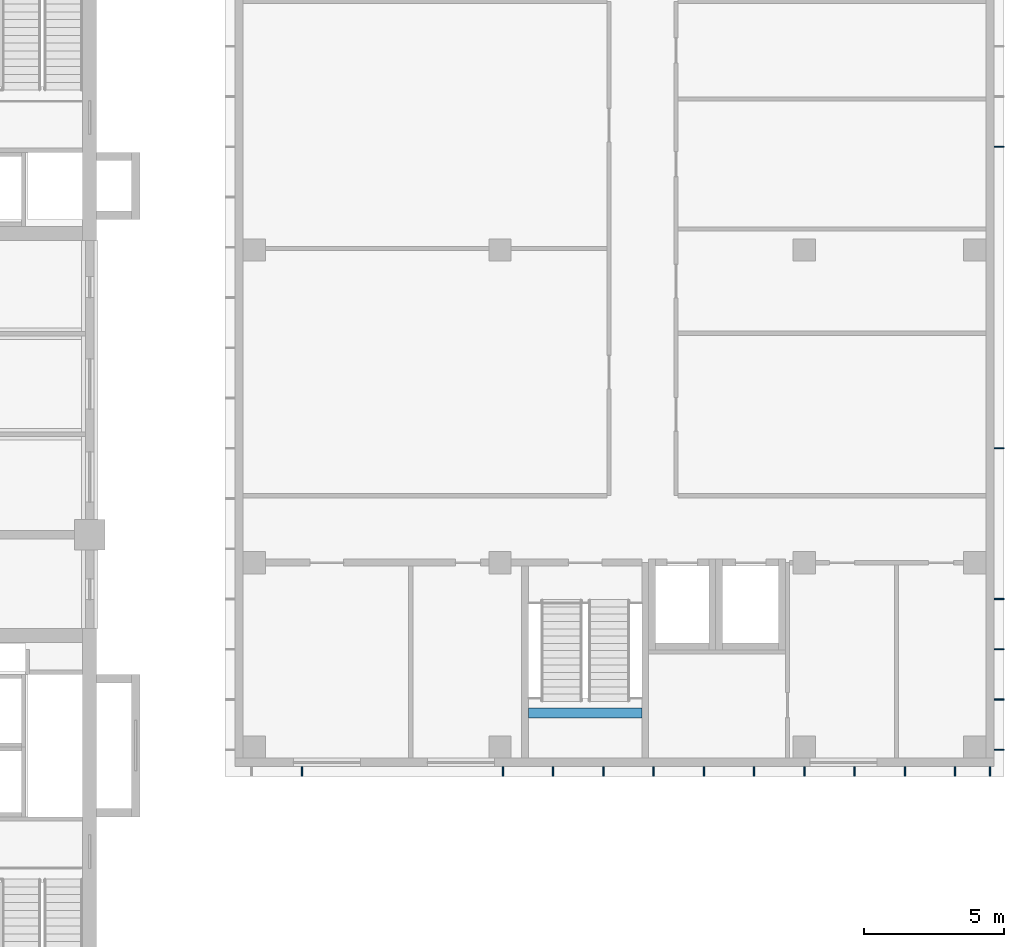
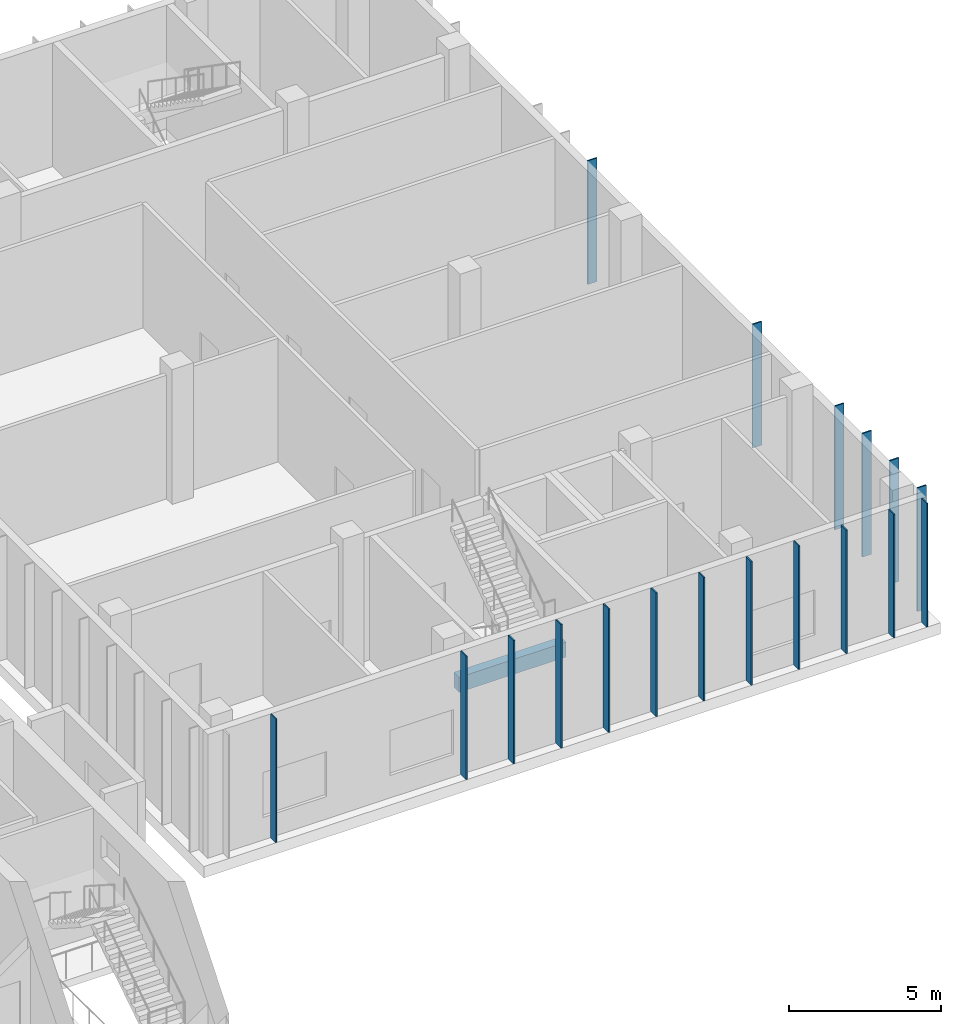
# One storey, part 9 of 32: 18 members, 1 beam.
"""IFC4 building model written with IfcOpenShell, lengths in metres."""

from ifc_helpers import new_model, si_unit, direction, frame, origin, origin_2d, place, context, subcontext, project, spatial, rectangle, extrude, material, material_profile, profile_set, type_object, element, save


model = new_model("IFC4")

# Units and contexts
model_context = context("Model", 3, precision=1e-05, world=origin(), true_north=direction((0.0, 1.0)))
body_context = subcontext(model_context, "Body", "Model", "MODEL_VIEW")
ifc_project = project(units=[si_unit("LENGTHUNIT", "METRE"), si_unit("AREAUNIT", "SQUARE_METRE"), si_unit("VOLUMEUNIT", "CUBIC_METRE"), si_unit("PLANEANGLEUNIT", "RADIAN"), si_unit("MASSUNIT", "GRAM", prefix="KILO")], contexts=[model_context])

# Site, building, storey
site_placement = place(None, origin())
site = spatial("IfcSite", under=ifc_project, at=site_placement, CompositionType="ELEMENT")
building_placement = place(site_placement, origin())
building = spatial("IfcBuilding", under=site, at=building_placement, Name="Basin Gate Institute", CompositionType="ELEMENT")
storey_placement = place(building_placement, frame((0.0, 0.0, 11.39990234375)))
storey = spatial("IfcBuildingStorey", under=building, at=storey_placement, Name="L02", CompositionType="ELEMENT", Elevation=11.39990234375)

# Beam
ifc_material_1 = material(Name="Concrete 40 MPa", Category="concrete")
ifc_material_profile_1 = material_profile(ifc_material_1, rectangle(XDim=0.35009765625, YDim=0.60009765625, at=origin_2d()), Name="Beam B4 350 x 600")
ifc_profile_set_1 = profile_set([ifc_material_profile_1], Name="Concrete 40 MPa")
beam_type = type_object("IfcBeamType", Name="Beam B4 R180", PredefinedType="BEAM", material=ifc_profile_set_1)
beam_placement = place(storey_placement, frame((134.52490234375, 71.916259765625, 2.2001953125), z_axis=(1.0, 0.0, 0.0), x_axis=(0.0, 1.0, 0.0)))
element("IfcBeam", 1, at=beam_placement, inside=storey, type_object=beam_type, material=ifc_profile_set_1, Name="Stair landing beam ST-C3 L02", PredefinedType="BEAM", context=body_context, shape_type="SweptSolid", body=[
    extrude(rectangle(XDim=0.35009765625, YDim=0.60009765625, at=origin_2d()), origin(), (0.0, 0.0, 1.0), 4.050048828125),
])

# Members
ifc_material_2 = material(Name="Anodised aluminium", Category="aluminium")
ifc_material_profile_2 = material_profile(ifc_material_2, rectangle(XDim=0.050048828125, YDim=0.35009765625, at=origin_2d()), Name="Louvre fin CF1 50 x 350")
ifc_profile_set_2 = profile_set([ifc_material_profile_2], Name="Anodised aluminium")
member_type = type_object("IfcMemberType", Name="Louvre fin CF1", PredefinedType="PLATE", material=ifc_profile_set_2)
for number, where, z_axis, x_axis, name in (
    (2, (126.39990234375, 69.824951171875, 0.0), (0.0, 0.0, 1.0), (1.0, 0.0, 0.0), "Louvre fin CF1 S2 L02"),
    (3, (133.60009765625, 69.824951171875, 0.0), (0.0, 0.0, 1.0), (1.0, 0.0, 0.0), "Louvre fin CF1 S6 L02"),
    (4, (135.39990234375, 69.824951171875, 0.0), (0.0, 0.0, 1.0), (1.0, 0.0, 0.0), "Louvre fin CF1 S7 L02"),
    (5, (137.199951171875, 69.824951171875, 0.0), (0.0, 0.0, 1.0), (1.0, 0.0, 0.0), "Louvre fin CF1 S8 L02"),
    (6, (139.0, 69.824951171875, 0.0), (0.0, 0.0, 1.0), (1.0, 0.0, 0.0), "Louvre fin CF1 S9 L02"),
    (7, (140.800048828125, 69.824951171875, 0.0), (0.0, 0.0, 1.0), (1.0, 0.0, 0.0), "Louvre fin CF1 S10 L02"),
    (8, (142.60009765625, 69.824951171875, 0.0), (0.0, 0.0, 1.0), (1.0, 0.0, 0.0), "Louvre fin CF1 S11 L02"),
    (9, (144.39990234375, 69.824951171875, 0.0), (0.0, 0.0, 1.0), (1.0, 0.0, 0.0), "Louvre fin CF1 S12 L02"),
    (10, (146.199951171875, 69.824951171875, 0.0), (0.0, 0.0, 1.0), (1.0, 0.0, 0.0), "Louvre fin CF1 S13 L02"),
    (11, (148.0, 69.824951171875, 0.0), (0.0, 0.0, 1.0), (1.0, 0.0, 0.0), "Louvre fin CF1 S14 L02"),
    (12, (149.800048828125, 69.824951171875, 0.0), (0.0, 0.0, 1.0), (1.0, 0.0, 0.0), "Louvre fin CF1 S15 L02"),
    (13, (151.050048828125, 69.824951171875, 0.0), (0.0, 0.0, 1.0), (1.0, 0.0, 0.0), "Louvre fin CF1 S16 L02"),
    (14, (151.375, 70.60009765625, 0.0), (0.0, 0.0, 1.0), (0.0, 1.0, 0.0), "Louvre fin CF1 E1 L02"),
    (15, (151.375, 72.39990234375, 0.0), (0.0, 0.0, 1.0), (0.0, 1.0, 0.0), "Louvre fin CF1 E2 L02"),
    (16, (151.375, 74.199951171875, 0.0), (0.0, 0.0, 1.0), (0.0, 1.0, 0.0), "Louvre fin CF1 E3 L02"),
    (17, (151.375, 76.0, 0.0), (0.0, 0.0, 1.0), (0.0, 1.0, 0.0), "Louvre fin CF1 E4 L02"),
    (18, (151.375, 81.39990234375, 0.0), (0.0, 0.0, 1.0), (0.0, 1.0, 0.0), "Louvre fin CF1 E7 L02"),
    (19, (151.375, 92.199951171875, 0.0), (0.0, 0.0, 1.0), (0.0, 1.0, 0.0), "Louvre fin CF1 E13 L02"),
):
    element("IfcMember", number, at=place(storey_placement, frame(where, z_axis=z_axis, x_axis=x_axis)), inside=storey, type_object=member_type, material=ifc_profile_set_2, Name=name, PredefinedType="PLATE", context=body_context, shape_type="SweptSolid", body=[
        extrude(rectangle(XDim=0.050048828125, YDim=0.35009765625, at=origin_2d()), origin(), (0.0, 0.0, 1.0), 4.9501953125),
    ])

save(model, "model.ifc")
